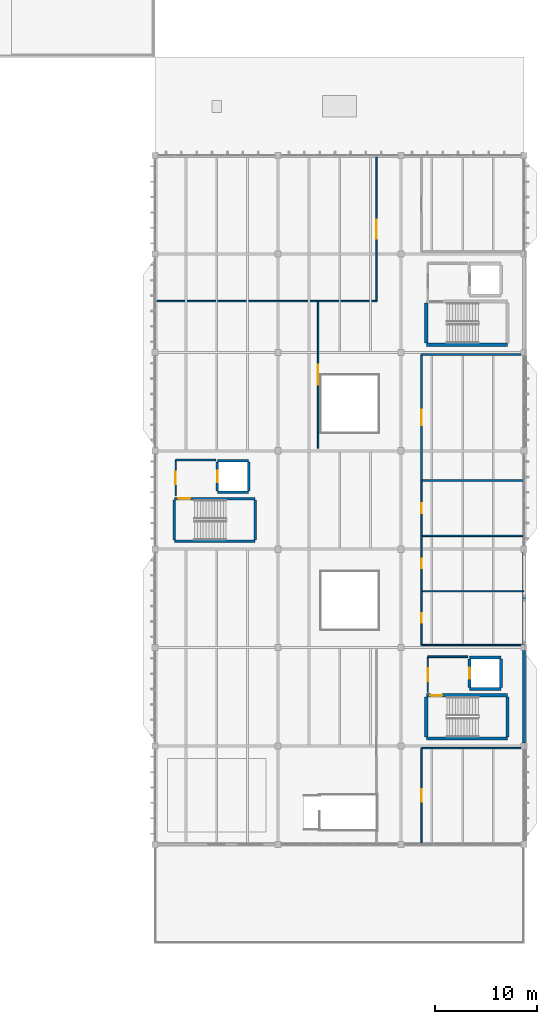
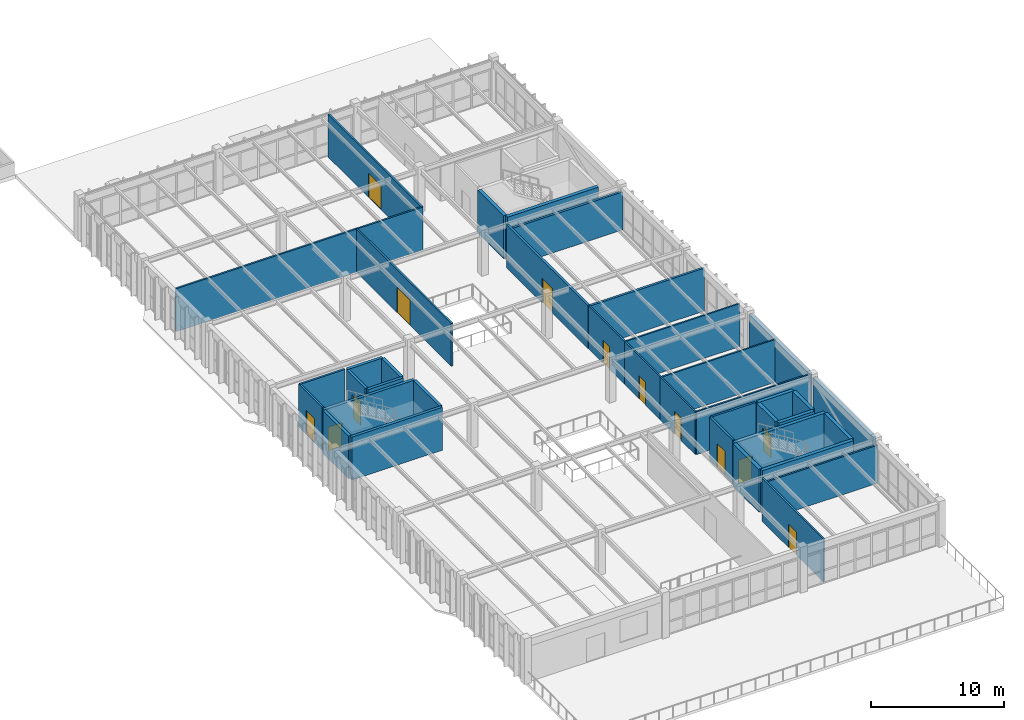
# One storey, part 74 of 83: 38 walls, 13 doors, 13 openings.
"""IFC4 building model written with IfcOpenShell, lengths in metres."""

from ifc_helpers import new_model, si_unit, direction, frame, frame_2d, origin, place, context, subcontext, project, spatial, rectangle, extrude, material, layer, layer_set, type_object, element, fill, save


model = new_model("IFC4")

# Units and contexts
model_context = context("Model", 3, precision=1e-05, world=origin(), true_north=direction((0.0, 1.0)))
body_context = subcontext(model_context, "Body", "Model", "MODEL_VIEW")
ifc_project = project(units=[si_unit("LENGTHUNIT", "METRE"), si_unit("AREAUNIT", "SQUARE_METRE"), si_unit("VOLUMEUNIT", "CUBIC_METRE"), si_unit("PLANEANGLEUNIT", "RADIAN"), si_unit("MASSUNIT", "GRAM", prefix="KILO")], contexts=[model_context])

# Site, building, storey
site_placement = place(None, origin())
site = spatial("IfcSite", under=ifc_project, at=site_placement, CompositionType="ELEMENT")
building_placement = place(site_placement, origin())
building = spatial("IfcBuilding", under=site, at=building_placement, Name="Pandanus Reach Market Hall", CompositionType="ELEMENT")
storey_placement = place(building_placement, frame((0.0, 0.0, 10.199951171875)))
storey = spatial("IfcBuildingStorey", under=building, at=storey_placement, Name="L02", CompositionType="ELEMENT", Elevation=10.199951171875)

# Wall
ifc_material_1 = material(Name="Concrete N40 (40 MPa)", Category="concrete")
ifc_layer_1 = layer(ifc_material_1, 0.25, Name="WL-CORE-250")
ifc_layer_set_1 = layer_set([ifc_layer_1], Name="Concrete N40 (40 MPa)")
wall_type_1 = type_object("IfcWallType", Name="WL-CORE-250", PredefinedType="SHEAR", material=ifc_layer_set_1)
wall_1_placement = place(storey_placement, frame((145.875, 48.77490234375, 0.0), z_axis=(0.0, 0.0, 1.0), x_axis=(1.0, 0.0, 0.0)))
element("IfcWall", 1, at=wall_1_placement, inside=storey, type_object=wall_type_1, Name="Internal wall WL-CORE-250 WL-0300", PredefinedType="SHEAR", context=body_context, shape_type="SweptSolid", body=[
    extrude(rectangle(XDim=7.8701171875, YDim=0.25, at=frame_2d((3.93505859375, 0.0))), origin(), (0.0, 0.0, 1.0), 3.93994140625),
])

# Wall, opening, door
wall_2_placement = place(storey_placement, frame((145.875, 52.925048828125, 0.0), z_axis=(0.0, 0.0, 1.0), x_axis=(1.0, 0.0, 0.0)))
wall_2 = element("IfcWall", 2, at=wall_2_placement, inside=storey, type_object=wall_type_1, Name="Internal wall WL-CORE-250 WL-0301", PredefinedType="SHEAR", context=body_context, shape_type="SweptSolid", body=[
    extrude(rectangle(XDim=7.8701171875, YDim=0.25, at=frame_2d((3.93505859375, 0.0))), origin(), (0.0, 0.0, 1.0), 3.93994140625),
])
opening_1_placement = place(wall_2_placement, frame((0.39990234375, 0.0, 0.0)))
opening_1 = element("IfcOpeningElement", 3, at=opening_1_placement, cuts=wall_2, Name="Opening DR-FD1", PredefinedType="OPENING", context=body_context, shape_type="SweptSolid", body=[
    extrude(rectangle(XDim=1.14990234375, YDim=2.14990234375, at=frame_2d((0.574951171875, 1.074951171875))), frame((0.0, 0.139892578125, 0.0), z_axis=(0.0, -1.0, 0.0), x_axis=(1.0, 0.0, 0.0)), (0.0, 0.0, 1.0), 0.280029296875),
])
ifc_material_2 = material(Name="Fire-rated steel door", Category="steel")
door_type_1 = type_object("IfcDoorType", Name="DR-FD1", OperationType="NOTDEFINED", PredefinedType="DOOR", material=ifc_material_2)
door_1_placement = place(opening_1_placement, frame((1.14990234375, 0.0, 0.0), z_axis=(0.0, 0.0, 1.0), x_axis=(-1.0, 0.0, 0.0)))
door_1 = element("IfcDoor", 4, at=door_1_placement, inside=storey, type_object=door_type_1, Name="Fire stair door ST-03 L02", OperationType="SINGLE_SWING_LEFT", OverallHeight=2.14990234375, OverallWidth=1.14990234375, PredefinedType="DOOR", context=body_context, shape_type="SweptSolid", body=[
    extrude(rectangle(XDim=1.14990234375, YDim=2.14990234375, at=frame_2d((0.574951171875, 1.074951171875))), frame((0.0, 0.02490234375, 0.0), z_axis=(0.0, -1.0, 0.0), x_axis=(1.0, 0.0, 0.0)), (0.0, 0.0, 1.0), 0.050048828125),
])
fill(opening_1, door_1)

# Walls
for number, where, z_axis, x_axis, name in (
    (5, (145.875, 48.89990234375, 0.0), (0.0, 0.0, 1.0), (0.0, 1.0, 0.0), "Internal wall WL-CORE-250 WL-0302"),
    (6, (153.7451171875, 48.89990234375, 0.0), (0.0, 0.0, 1.0), (0.0, 1.0, 0.0), "Internal wall WL-CORE-250 WL-0303"),
):
    element("IfcWall", number, at=place(storey_placement, frame(where, z_axis=z_axis, x_axis=x_axis)), inside=storey, type_object=wall_type_1, Name=name, PredefinedType="SHEAR", context=body_context, shape_type="SweptSolid", body=[
        extrude(rectangle(XDim=3.900146484375, YDim=0.25, at=frame_2d((1.9501953125, 0.0))), origin(), (0.0, 0.0, 1.0), 3.93994140625),
    ])
for number, where, z_axis, x_axis, name in (
    (7, (150.074951171875, 53.574951171875, 0.0), (0.0, 0.0, 1.0), (1.0, 0.0, 0.0), "Internal wall WL-CORE-250 WL-0304"),
    (8, (150.074951171875, 56.625, 0.0), (0.0, 0.0, 1.0), (1.0, 0.0, 0.0), "Internal wall WL-CORE-250 WL-0305"),
):
    element("IfcWall", number, at=place(storey_placement, frame(where, z_axis=z_axis, x_axis=x_axis)), inside=storey, type_object=wall_type_1, Name=name, PredefinedType="SHEAR", context=body_context, shape_type="SweptSolid", body=[
        extrude(rectangle(XDim=3.050048828125, YDim=0.25, at=frame_2d((1.52490234375, 0.0))), origin(), (0.0, 0.0, 1.0), 3.93994140625),
    ])
wall_3_placement = place(storey_placement, frame((153.125, 53.699951171875, 0.0), z_axis=(0.0, 0.0, 1.0), x_axis=(0.0, 1.0, 0.0)))
element("IfcWall", 9, at=wall_3_placement, inside=storey, type_object=wall_type_1, Name="Internal wall WL-CORE-250 WL-0306", PredefinedType="SHEAR", context=body_context, shape_type="SweptSolid", body=[
    extrude(rectangle(XDim=2.800048828125, YDim=0.25, at=frame_2d((1.39990234375, 0.0))), origin(), (0.0, 0.0, 1.0), 3.93994140625),
])

# Wall, opening, door
wall_4_placement = place(storey_placement, frame((150.074951171875, 53.699951171875, 0.0), z_axis=(0.0, 0.0, 1.0), x_axis=(0.0, 1.0, 0.0)))
wall_4 = element("IfcWall", 10, at=wall_4_placement, inside=storey, type_object=wall_type_1, Name="Internal wall WL-CORE-250 WL-0307", PredefinedType="SHEAR", context=body_context, shape_type="SweptSolid", body=[
    extrude(rectangle(XDim=2.800048828125, YDim=0.25, at=frame_2d((1.39990234375, 0.0))), origin(), (0.0, 0.0, 1.0), 3.93994140625),
])
opening_2_placement = place(wall_4_placement, frame((0.85009765625, 0.0, 0.0)))
opening_2 = element("IfcOpeningElement", 11, at=opening_2_placement, cuts=wall_4, Name="Opening LD-01", PredefinedType="OPENING", context=body_context, shape_type="SweptSolid", body=[
    extrude(rectangle(XDim=1.10009765625, YDim=2.14990234375, at=frame_2d((0.550048828125, 1.074951171875))), frame((0.0, 0.139892578125, 0.0), z_axis=(0.0, -1.0, 0.0), x_axis=(1.0, 0.0, 0.0)), (0.0, 0.0, 1.0), 0.280029296875),
])
ifc_material_3 = material(Name="Stainless steel lift landing door", Category="steel")
door_type_2 = type_object("IfcDoorType", Name="LD-01", OperationType="SLIDING_TO_LEFT", PredefinedType="DOOR", material=ifc_material_3)
door_2_placement = place(opening_2_placement, origin())
door_2 = element("IfcDoor", 12, at=door_2_placement, inside=storey, type_object=door_type_2, Name="Lift landing door LF-03 LD-01 48", OperationType="SLIDING_TO_LEFT", OverallHeight=2.14990234375, OverallWidth=1.10009765625, PredefinedType="DOOR", context=body_context, shape_type="SweptSolid", body=[
    extrude(rectangle(XDim=1.10009765625, YDim=2.14990234375, at=frame_2d((0.550048828125, 1.074951171875))), frame((0.0, 0.02490234375, 0.0), z_axis=(0.0, -1.0, 0.0), x_axis=(1.0, 0.0, 0.0)), (0.0, 0.0, 1.0), 0.050048828125),
])
fill(opening_2, door_2)

# Wall
ifc_layer_2 = layer(ifc_material_1, 0.300048828125, Name="WL-CORE-300")
ifc_layer_set_2 = layer_set([ifc_layer_2], Name="Concrete N40 (40 MPa)")
wall_type_2 = type_object("IfcWallType", Name="WL-CORE-300", PredefinedType="SHEAR", material=ifc_layer_set_2)
wall_5_placement = place(storey_placement, frame((170.449951171875, 29.550048828125, 0.0), z_axis=(0.0, 0.0, 1.0), x_axis=(1.0, 0.0, 0.0)))
element("IfcWall", 13, at=wall_5_placement, inside=storey, type_object=wall_type_2, Name="Internal wall WL-CORE-300 WL-0180", PredefinedType="SHEAR", context=body_context, shape_type="SweptSolid", body=[
    extrude(rectangle(XDim=7.920166015625, YDim=0.300048828125, at=frame_2d((3.9599609375, 0.0))), origin(), (0.0, 0.0, 1.0), 3.93994140625),
])

# Wall, opening, door
wall_6_placement = place(storey_placement, frame((170.449951171875, 33.75, 0.0), z_axis=(0.0, 0.0, 1.0), x_axis=(1.0, 0.0, 0.0)))
wall_6 = element("IfcWall", 14, at=wall_6_placement, inside=storey, type_object=wall_type_2, Name="Internal wall WL-CORE-300 WL-0181", PredefinedType="SHEAR", context=body_context, shape_type="SweptSolid", body=[
    extrude(rectangle(XDim=7.920166015625, YDim=0.300048828125, at=frame_2d((3.9599609375, 0.0))), origin(), (0.0, 0.0, 1.0), 3.93994140625),
])
opening_3_placement = place(wall_6_placement, frame((0.39990234375, 0.0, 0.0)))
opening_3 = element("IfcOpeningElement", 15, at=opening_3_placement, cuts=wall_6, Name="Opening DR-FD1", PredefinedType="OPENING", context=body_context, shape_type="SweptSolid", body=[
    extrude(rectangle(XDim=1.14990234375, YDim=2.14990234375, at=frame_2d((0.574951171875, 1.074951171875))), frame((0.0, 0.1650390625, 0.0), z_axis=(0.0, -1.0, 0.0), x_axis=(1.0, 0.0, 0.0)), (0.0, 0.0, 1.0), 0.330078125),
])
door_3_placement = place(opening_3_placement, frame((1.14990234375, 0.0, 0.0), z_axis=(0.0, 0.0, 1.0), x_axis=(-1.0, 0.0, 0.0)))
door_3 = element("IfcDoor", 16, at=door_3_placement, inside=storey, type_object=door_type_1, Name="Fire stair door ST-01 L02", OperationType="SINGLE_SWING_LEFT", OverallHeight=2.14990234375, OverallWidth=1.14990234375, PredefinedType="DOOR", context=body_context, shape_type="SweptSolid", body=[
    extrude(rectangle(XDim=1.14990234375, YDim=2.14990234375, at=frame_2d((0.574951171875, 1.074951171875))), frame((0.0, 0.02490234375, 0.0), z_axis=(0.0, -1.0, 0.0), x_axis=(1.0, 0.0, 0.0)), (0.0, 0.0, 1.0), 0.050048828125),
])
fill(opening_3, door_3)

# Walls
for number, where, z_axis, x_axis, name in (
    (17, (170.449951171875, 29.699951171875, 0.0), (0.0, 0.0, 1.0), (0.0, 1.0, 0.0), "Internal wall WL-CORE-300 WL-0182"),
    (18, (178.3701171875, 29.699951171875, 0.0), (0.0, 0.0, 1.0), (0.0, 1.0, 0.0), "Internal wall WL-CORE-300 WL-0183"),
):
    element("IfcWall", number, at=place(storey_placement, frame(where, z_axis=z_axis, x_axis=x_axis)), inside=storey, type_object=wall_type_2, Name=name, PredefinedType="SHEAR", context=body_context, shape_type="SweptSolid", body=[
        extrude(rectangle(XDim=3.900146484375, YDim=0.300048828125, at=frame_2d((1.9501953125, 0.0))), origin(), (0.0, 0.0, 1.0), 3.93994140625),
    ])
for number, where, z_axis, x_axis, name in (
    (19, (174.64990234375, 34.35009765625, 0.0), (0.0, 0.0, 1.0), (1.0, 0.0, 0.0), "Internal wall WL-CORE-300 WL-0184"),
    (20, (174.64990234375, 37.449951171875, 0.0), (0.0, 0.0, 1.0), (1.0, 0.0, 0.0), "Internal wall WL-CORE-300 WL-0185"),
):
    element("IfcWall", number, at=place(storey_placement, frame(where, z_axis=z_axis, x_axis=x_axis)), inside=storey, type_object=wall_type_2, Name=name, PredefinedType="SHEAR", context=body_context, shape_type="SweptSolid", body=[
        extrude(rectangle(XDim=3.10009765625, YDim=0.300048828125, at=frame_2d((1.550048828125, 0.0))), origin(), (0.0, 0.0, 1.0), 3.93994140625),
    ])
wall_7_placement = place(storey_placement, frame((177.75, 34.5, 0.0), z_axis=(0.0, 0.0, 1.0), x_axis=(0.0, 1.0, 0.0)))
element("IfcWall", 21, at=wall_7_placement, inside=storey, type_object=wall_type_2, Name="Internal wall WL-CORE-300 WL-0186", PredefinedType="SHEAR", context=body_context, shape_type="SweptSolid", body=[
    extrude(rectangle(XDim=2.800048828125, YDim=0.300048828125, at=frame_2d((1.39990234375, 0.0))), origin(), (0.0, 0.0, 1.0), 3.93994140625),
])

# Wall, opening, door
wall_8_placement = place(storey_placement, frame((174.64990234375, 34.5, 0.0), z_axis=(0.0, 0.0, 1.0), x_axis=(0.0, 1.0, 0.0)))
wall_8 = element("IfcWall", 22, at=wall_8_placement, inside=storey, type_object=wall_type_2, Name="Internal wall WL-CORE-300 WL-0187", PredefinedType="SHEAR", context=body_context, shape_type="SweptSolid", body=[
    extrude(rectangle(XDim=2.800048828125, YDim=0.300048828125, at=frame_2d((1.39990234375, 0.0))), origin(), (0.0, 0.0, 1.0), 3.93994140625),
])
opening_4_placement = place(wall_8_placement, frame((0.85009765625, 0.0, 0.0)))
opening_4 = element("IfcOpeningElement", 23, at=opening_4_placement, cuts=wall_8, Name="Opening LD-01", PredefinedType="OPENING", context=body_context, shape_type="SweptSolid", body=[
    extrude(rectangle(XDim=1.10009765625, YDim=2.14990234375, at=frame_2d((0.550048828125, 1.074951171875))), frame((0.0, 0.1650390625, 0.0), z_axis=(0.0, -1.0, 0.0), x_axis=(1.0, 0.0, 0.0)), (0.0, 0.0, 1.0), 0.330078125),
])
door_4_placement = place(opening_4_placement, origin())
door_4 = element("IfcDoor", 24, at=door_4_placement, inside=storey, type_object=door_type_2, Name="Lift landing door LF-01 LD-01 12", OperationType="SLIDING_TO_LEFT", OverallHeight=2.14990234375, OverallWidth=1.10009765625, PredefinedType="DOOR", context=body_context, shape_type="SweptSolid", body=[
    extrude(rectangle(XDim=1.10009765625, YDim=2.14990234375, at=frame_2d((0.550048828125, 1.074951171875))), frame((0.0, 0.02490234375, 0.0), z_axis=(0.0, -1.0, 0.0), x_axis=(1.0, 0.0, 0.0)), (0.0, 0.0, 1.0), 0.050048828125),
])
fill(opening_4, door_4)

# Walls
wall_9_placement = place(storey_placement, frame((170.449951171875, 67.949951171875, 0.0), z_axis=(0.0, 0.0, 1.0), x_axis=(1.0, 0.0, 0.0)))
element("IfcWall", 25, at=wall_9_placement, inside=storey, type_object=wall_type_2, Name="Internal wall WL-CORE-300 WL-0240", PredefinedType="SHEAR", context=body_context, shape_type="SweptSolid", body=[
    extrude(rectangle(XDim=7.920166015625, YDim=0.300048828125, at=frame_2d((3.9599609375, 0.0))), origin(), (0.0, 0.0, 1.0), 3.93994140625),
])
wall_10_placement = place(storey_placement, frame((170.449951171875, 68.10009765625, 0.0), z_axis=(0.0, 0.0, 1.0), x_axis=(0.0, 1.0, 0.0)))
element("IfcWall", 26, at=wall_10_placement, inside=storey, type_object=wall_type_2, Name="Internal wall WL-CORE-300 WL-0242", PredefinedType="SHEAR", context=body_context, shape_type="SweptSolid", body=[
    extrude(rectangle(XDim=3.89990234375, YDim=0.300048828125, at=frame_2d((1.949951171875, 0.0))), origin(), (0.0, 0.0, 1.0), 3.93994140625),
])
ifc_material_4 = material(Name="Precast concrete S50 (50 MPa)", Category="concrete")
ifc_layer_3 = layer(ifc_material_4, 0.280029296875, Name="WL-EXT-280")
ifc_layer_set_3 = layer_set([ifc_layer_3], Name="Precast concrete S50 (50 MPa)")
wall_type_3 = type_object("IfcWallType", Name="WL-EXT-280", PredefinedType="SOLIDWALL", material=ifc_layer_set_3)
for number, where, z_axis, x_axis, name in (
    (27, (180.0, 29.10009765625, 0.0), (0.0, 0.0, 1.0), (0.0, 1.0, 0.0), "External wall WL-EXT-280 WL-0101"),
    (28, (180.0, 38.699951171875, 0.0), (0.0, 0.0, 1.0), (0.0, 1.0, 0.0), "External wall WL-EXT-280 WL-0102"),
):
    element("IfcWall", number, at=place(storey_placement, frame(where, z_axis=z_axis, x_axis=x_axis)), inside=storey, type_object=wall_type_3, Name=name, PredefinedType="SOLIDWALL", context=body_context, shape_type="SweptSolid", body=[
        extrude(rectangle(XDim=9.0, YDim=0.280029296875, at=frame_2d((4.5, 0.0))), origin(), (0.0, 0.0, 1.0), 3.900146484375),
    ])
ifc_layer_4 = layer(ifc_material_1, 0.199951171875, Name="WL-FIRE-200")
ifc_layer_set_4 = layer_set([ifc_layer_4], Name="Concrete N40 (40 MPa)")
wall_type_4 = type_object("IfcWallType", Name="WL-FIRE-200", PredefinedType="SOLIDWALL", material=ifc_layer_set_4)
wall_11_placement = place(storey_placement, frame((170.0, 54.699951171875, 0.0), z_axis=(0.0, 0.0, 1.0), x_axis=(1.0, 0.0, 0.0)))
element("IfcWall", 29, at=wall_11_placement, inside=storey, type_object=wall_type_4, Name="Internal wall WL-FIRE-200 WL-0555", PredefinedType="SOLIDWALL", context=body_context, shape_type="SweptSolid", body=[
    extrude(rectangle(XDim=9.9599609375, YDim=0.199951171875, at=frame_2d((4.97998046875, 0.0))), origin(), (0.0, 0.0, 1.0), 3.93994140625),
])
wall_12_placement = place(storey_placement, frame((170.0, 67.0, 0.0), z_axis=(0.0, 0.0, 1.0), x_axis=(1.0, 0.0, 0.0)))
element("IfcWall", 30, at=wall_12_placement, inside=storey, type_object=wall_type_4, Name="Internal wall WL-FIRE-200 WL-0556", PredefinedType="SOLIDWALL", context=body_context, shape_type="SweptSolid", body=[
    extrude(rectangle(XDim=9.9599609375, YDim=0.199951171875, at=frame_2d((4.97998046875, 0.0))), origin(), (0.0, 0.0, 1.0), 3.487548828125),
])

# Wall, opening, door
wall_13_placement = place(storey_placement, frame((170.0, 54.699951171875, 0.0), z_axis=(0.0, 0.0, 1.0), x_axis=(0.0, 1.0, 0.0)))
wall_13 = element("IfcWall", 31, at=wall_13_placement, inside=storey, type_object=wall_type_4, Name="Internal wall WL-FIRE-200 WL-0560", PredefinedType="SOLIDWALL", context=body_context, shape_type="SweptSolid", body=[
    extrude(rectangle(XDim=12.300048828125, YDim=0.199951171875, at=frame_2d((6.14990234375, 0.0))), origin(), (0.0, 0.0, 1.0), 3.93994140625),
])
opening_5_placement = place(wall_13_placement, frame((5.375, 0.0, 0.0)))
opening_5 = element("IfcOpeningElement", 32, at=opening_5_placement, cuts=wall_13, Name="Opening DR-FD5", PredefinedType="OPENING", context=body_context, shape_type="SweptSolid", body=[
    extrude(rectangle(XDim=1.550048828125, YDim=2.25, at=frame_2d((0.77490234375, 1.125))), frame((0.0, 0.114990234375, 0.0), z_axis=(0.0, -1.0, 0.0), x_axis=(1.0, 0.0, 0.0)), (0.0, 0.0, 1.0), 0.22998046875),
])
ifc_material_5 = material(Name="Fire-rated cold-chain airlock leaf door")
door_type_3 = type_object("IfcDoorType", Name="DR-FD5", OperationType="NOTDEFINED", PredefinedType="DOOR", material=ifc_material_5)
door_5_placement = place(opening_5_placement, origin())
door_5 = element("IfcDoor", 33, at=door_5_placement, inside=storey, type_object=door_type_3, Name="L02 AHU plant fire door DR-FD5 161", OperationType="SINGLE_SWING_RIGHT", OverallHeight=2.25, OverallWidth=1.550048828125, PredefinedType="DOOR", context=body_context, shape_type="SweptSolid", body=[
    extrude(rectangle(XDim=1.550048828125, YDim=2.25, at=frame_2d((0.77490234375, 1.125))), frame((0.0, 0.02490234375, 0.0), z_axis=(0.0, -1.0, 0.0), x_axis=(1.0, 0.0, 0.0)), (0.0, 0.0, 1.0), 0.050048828125),
])
fill(opening_5, door_5)

ifc_layer_5 = layer(ifc_material_1, 0.175048828125, Name="WL-LOB-175")
ifc_layer_set_5 = layer_set([ifc_layer_5], Name="Concrete N40 (40 MPa)")
wall_type_5 = type_object("IfcWallType", Name="WL-LOB-175", PredefinedType="PARTITIONING", material=ifc_layer_set_5)
wall_14_placement = place(storey_placement, frame((170.60009765625, 34.0, 0.0), z_axis=(0.0, 0.0, 1.0), x_axis=(0.0, 1.0, 0.0)))
wall_14 = element("IfcWall", 34, at=wall_14_placement, inside=storey, type_object=wall_type_5, Name="Internal wall WL-LOB-175 WL-0188", PredefinedType="PARTITIONING", context=body_context, shape_type="SweptSolid", body=[
    extrude(rectangle(XDim=3.5, YDim=0.175048828125, at=frame_2d((1.75, 0.0))), origin(), (0.0, 0.0, 1.0), 3.93994140625),
])
opening_6_placement = place(wall_14_placement, frame((1.125, 0.0, 0.0)))
opening_6 = element("IfcOpeningElement", 35, at=opening_6_placement, cuts=wall_14, Name="Opening DR-FD2", PredefinedType="OPENING", context=body_context, shape_type="SweptSolid", body=[
    extrude(rectangle(XDim=1.25, YDim=2.199951171875, at=frame_2d((0.625, 1.10009765625))), frame((0.0, 0.1025390625, 0.0), z_axis=(0.0, -1.0, 0.0), x_axis=(1.0, 0.0, 0.0)), (0.0, 0.0, 1.0), 0.205078125),
])
door_type_4 = type_object("IfcDoorType", Name="DR-FD2", OperationType="NOTDEFINED", PredefinedType="DOOR", material=ifc_material_2)
door_6_placement = place(opening_6_placement, frame((1.25, 0.0, 0.0), z_axis=(0.0, 0.0, 1.0), x_axis=(-1.0, 0.0, 0.0)))
door_6 = element("IfcDoor", 36, at=door_6_placement, inside=storey, type_object=door_type_4, Name="Core C1 lobby fire door DR-FD2 13", OperationType="SINGLE_SWING_RIGHT", OverallHeight=2.199951171875, OverallWidth=1.25, PredefinedType="DOOR", context=body_context, shape_type="SweptSolid", body=[
    extrude(rectangle(XDim=1.25, YDim=2.199951171875, at=frame_2d((0.625, 1.10009765625))), frame((0.0, 0.02490234375, 0.0), z_axis=(0.0, -1.0, 0.0), x_axis=(1.0, 0.0, 0.0)), (0.0, 0.0, 1.0), 0.050048828125),
])
fill(opening_6, door_6)

# Wall
wall_15_placement = place(storey_placement, frame((170.60009765625, 37.5, 0.0), z_axis=(0.0, 0.0, 1.0), x_axis=(1.0, 0.0, 0.0)))
element("IfcWall", 37, at=wall_15_placement, inside=storey, type_object=wall_type_5, Name="Internal wall WL-LOB-175 WL-0189", PredefinedType="PARTITIONING", context=body_context, shape_type="SweptSolid", body=[
    extrude(rectangle(XDim=3.89990234375, YDim=0.175048828125, at=frame_2d((1.949951171875, 0.0))), origin(), (0.0, 0.0, 1.0), 3.93994140625),
])

# Wall, opening, door
wall_16_placement = place(storey_placement, frame((146.0, 53.199951171875, 0.0), z_axis=(0.0, 0.0, 1.0), x_axis=(0.0, 1.0, 0.0)))
wall_16 = element("IfcWall", 38, at=wall_16_placement, inside=storey, type_object=wall_type_5, Name="Internal wall WL-LOB-175 WL-0308", PredefinedType="PARTITIONING", context=body_context, shape_type="SweptSolid", body=[
    extrude(rectangle(XDim=3.5, YDim=0.175048828125, at=frame_2d((1.75, 0.0))), origin(), (0.0, 0.0, 1.0), 3.93994140625),
])
opening_7_placement = place(wall_16_placement, frame((1.125, 0.0, 0.0)))
opening_7 = element("IfcOpeningElement", 39, at=opening_7_placement, cuts=wall_16, Name="Opening DR-FD2", PredefinedType="OPENING", context=body_context, shape_type="SweptSolid", body=[
    extrude(rectangle(XDim=1.25, YDim=2.199951171875, at=frame_2d((0.625, 1.10009765625))), frame((0.0, 0.1025390625, 0.0), z_axis=(0.0, -1.0, 0.0), x_axis=(1.0, 0.0, 0.0)), (0.0, 0.0, 1.0), 0.205078125),
])
door_7_placement = place(opening_7_placement, frame((1.25, 0.0, 0.0), z_axis=(0.0, 0.0, 1.0), x_axis=(-1.0, 0.0, 0.0)))
door_7 = element("IfcDoor", 40, at=door_7_placement, inside=storey, type_object=door_type_4, Name="Core C3 lobby fire door DR-FD2 49", OperationType="SINGLE_SWING_RIGHT", OverallHeight=2.199951171875, OverallWidth=1.25, PredefinedType="DOOR", context=body_context, shape_type="SweptSolid", body=[
    extrude(rectangle(XDim=1.25, YDim=2.199951171875, at=frame_2d((0.625, 1.10009765625))), frame((0.0, 0.02490234375, 0.0), z_axis=(0.0, -1.0, 0.0), x_axis=(1.0, 0.0, 0.0)), (0.0, 0.0, 1.0), 0.050048828125),
])
fill(opening_7, door_7)

# Walls
wall_17_placement = place(storey_placement, frame((146.0, 56.699951171875, 0.0), z_axis=(0.0, 0.0, 1.0), x_axis=(1.0, 0.0, 0.0)))
element("IfcWall", 41, at=wall_17_placement, inside=storey, type_object=wall_type_5, Name="Internal wall WL-LOB-175 WL-0309", PredefinedType="PARTITIONING", context=body_context, shape_type="SweptSolid", body=[
    extrude(rectangle(XDim=3.89990234375, YDim=0.175048828125, at=frame_2d((1.949951171875, 0.0))), origin(), (0.0, 0.0, 1.0), 3.93994140625),
])
ifc_material_6 = material(Name="Moisture-resistant plasterboard partition", Category="gypsum")
ifc_layer_6 = layer(ifc_material_6, 0.135009765625, Name="WL-PRT-135")
ifc_layer_set_6 = layer_set([ifc_layer_6], Name="Moisture-resistant plasterboard partition")
wall_type_6 = type_object("IfcWallType", Name="WL-PRT-135", PredefinedType="PARTITIONING", material=ifc_layer_set_6)
for number, where, z_axis, x_axis, name in (
    (42, (170.0, 38.64990234375, 0.0), (0.0, 0.0, 1.0), (1.0, 0.0, 0.0), "Internal wall WL-PRT-135 WL-0552"),
    (43, (170.0, 43.89990234375, 0.0), (0.0, 0.0, 1.0), (1.0, 0.0, 0.0), "Internal wall WL-PRT-135 WL-0553"),
    (44, (170.0, 49.300048828125, 0.0), (0.0, 0.0, 1.0), (1.0, 0.0, 0.0), "Internal wall WL-PRT-135 WL-0554"),
):
    element("IfcWall", number, at=place(storey_placement, frame(where, z_axis=z_axis, x_axis=x_axis)), inside=storey, type_object=wall_type_6, Name=name, PredefinedType="PARTITIONING", context=body_context, shape_type="SweptSolid", body=[
        extrude(rectangle(XDim=9.9599609375, YDim=0.135009765625, at=frame_2d((4.97998046875, 0.0))), origin(), (0.0, 0.0, 1.0), 3.93994140625),
    ])

# Wall, opening, door
wall_18_placement = place(storey_placement, frame((170.0, 38.64990234375, 0.0), z_axis=(0.0, 0.0, 1.0), x_axis=(0.0, 1.0, 0.0)))
wall_18 = element("IfcWall", 45, at=wall_18_placement, inside=storey, type_object=wall_type_6, Name="Internal wall WL-PRT-135 WL-0557", PredefinedType="PARTITIONING", context=body_context, shape_type="SweptSolid", body=[
    extrude(rectangle(XDim=5.25, YDim=0.135009765625, at=frame_2d((2.625, 0.0))), origin(), (0.0, 0.0, 1.0), 3.93994140625),
])
opening_8_placement = place(wall_18_placement, frame((2.14990234375, 0.0, 0.0)))
opening_8 = element("IfcOpeningElement", 46, at=opening_8_placement, cuts=wall_18, Name="Opening DR-I09", PredefinedType="OPENING", context=body_context, shape_type="SweptSolid", body=[
    extrude(rectangle(XDim=0.949951171875, YDim=2.10009765625, at=frame_2d((0.47509765625, 1.050048828125))), frame((0.0, 0.08251953125, 0.0), z_axis=(0.0, -1.0, 0.0), x_axis=(1.0, 0.0, 0.0)), (0.0, 0.0, 1.0), 0.1650390625),
])
ifc_material_7 = material(Name="Solid-core hardwood timber door", Category="wood")
door_type_5 = type_object("IfcDoorType", Name="DR-I09", OperationType="NOTDEFINED", PredefinedType="DOOR", material=ifc_material_7)
door_8_placement = place(opening_8_placement, origin())
door_8 = element("IfcDoor", 47, at=door_8_placement, inside=storey, type_object=door_type_5, Name="L02 male WC door DR-I09 158", OperationType="SINGLE_SWING_LEFT", OverallHeight=2.10009765625, OverallWidth=0.949951171875, PredefinedType="DOOR", context=body_context, shape_type="SweptSolid", body=[
    extrude(rectangle(XDim=0.949951171875, YDim=2.10009765625, at=frame_2d((0.47509765625, 1.050048828125))), frame((0.0, 0.02490234375, 0.0), z_axis=(0.0, -1.0, 0.0), x_axis=(1.0, 0.0, 0.0)), (0.0, 0.0, 1.0), 0.050048828125),
])
fill(opening_8, door_8)

wall_19_placement = place(storey_placement, frame((170.0, 43.89990234375, 0.0), z_axis=(0.0, 0.0, 1.0), x_axis=(0.0, 1.0, 0.0)))
wall_19 = element("IfcWall", 48, at=wall_19_placement, inside=storey, type_object=wall_type_6, Name="Internal wall WL-PRT-135 WL-0558", PredefinedType="PARTITIONING", context=body_context, shape_type="SweptSolid", body=[
    extrude(rectangle(XDim=5.400146484375, YDim=0.135009765625, at=frame_2d((2.7001953125, 0.0))), origin(), (0.0, 0.0, 1.0), 3.93994140625),
])
opening_9_placement = place(wall_19_placement, frame((2.22509765625, 0.0, 0.0)))
opening_9 = element("IfcOpeningElement", 49, at=opening_9_placement, cuts=wall_19, Name="Opening DR-I09", PredefinedType="OPENING", context=body_context, shape_type="SweptSolid", body=[
    extrude(rectangle(XDim=0.949951171875, YDim=2.10009765625, at=frame_2d((0.47509765625, 1.050048828125))), frame((0.0, 0.08251953125, 0.0), z_axis=(0.0, -1.0, 0.0), x_axis=(1.0, 0.0, 0.0)), (0.0, 0.0, 1.0), 0.1650390625),
])
door_9_placement = place(opening_9_placement, origin())
door_9 = element("IfcDoor", 50, at=door_9_placement, inside=storey, type_object=door_type_5, Name="L02 female WC door DR-I09 159", OperationType="SINGLE_SWING_RIGHT", OverallHeight=2.10009765625, OverallWidth=0.949951171875, PredefinedType="DOOR", context=body_context, shape_type="SweptSolid", body=[
    extrude(rectangle(XDim=0.949951171875, YDim=2.10009765625, at=frame_2d((0.47509765625, 1.050048828125))), frame((0.0, 0.02490234375, 0.0), z_axis=(0.0, -1.0, 0.0), x_axis=(1.0, 0.0, 0.0)), (0.0, 0.0, 1.0), 0.050048828125),
])
fill(opening_9, door_9)

wall_20_placement = place(storey_placement, frame((170.0, 49.300048828125, 0.0), z_axis=(0.0, 0.0, 1.0), x_axis=(0.0, 1.0, 0.0)))
wall_20 = element("IfcWall", 51, at=wall_20_placement, inside=storey, type_object=wall_type_6, Name="Internal wall WL-PRT-135 WL-0559", PredefinedType="PARTITIONING", context=body_context, shape_type="SweptSolid", body=[
    extrude(rectangle(XDim=5.39990234375, YDim=0.135009765625, at=frame_2d((2.699951171875, 0.0))), origin(), (0.0, 0.0, 1.0), 3.93994140625),
])
opening_10_placement = place(wall_20_placement, frame((2.199951171875, 0.0, 0.0)))
opening_10 = element("IfcOpeningElement", 52, at=opening_10_placement, cuts=wall_20, Name="Opening DR-I10", PredefinedType="OPENING", context=body_context, shape_type="SweptSolid", body=[
    extrude(rectangle(XDim=1.0, YDim=2.10009765625, at=frame_2d((0.5, 1.050048828125))), frame((0.0, 0.08251953125, 0.0), z_axis=(0.0, -1.0, 0.0), x_axis=(1.0, 0.0, 0.0)), (0.0, 0.0, 1.0), 0.1650390625),
])
ifc_material_8 = material(Name="Accessible unisex WC timber door", Category="wood")
door_type_6 = type_object("IfcDoorType", Name="DR-I10", OperationType="NOTDEFINED", PredefinedType="DOOR", material=ifc_material_8)
door_10_placement = place(opening_10_placement, origin())
door_10 = element("IfcDoor", 53, at=door_10_placement, inside=storey, type_object=door_type_6, Name="L02 accessible WC door DR-I10 160", OperationType="SINGLE_SWING_LEFT", OverallHeight=2.10009765625, OverallWidth=1.0, PredefinedType="DOOR", context=body_context, shape_type="SweptSolid", body=[
    extrude(rectangle(XDim=1.0, YDim=2.10009765625, at=frame_2d((0.5, 1.050048828125))), frame((0.0, 0.02490234375, 0.0), z_axis=(0.0, -1.0, 0.0), x_axis=(1.0, 0.0, 0.0)), (0.0, 0.0, 1.0), 0.050048828125),
])
fill(opening_10, door_10)

ifc_material_9 = material(Name="Acoustic plasterboard on steel framing", Category="steel")
ifc_layer_7 = layer(ifc_material_9, 0.14990234375, Name="WL-PRT-150")
ifc_layer_set_7 = layer_set([ifc_layer_7], Name="Acoustic plasterboard on steel framing")
wall_type_7 = type_object("IfcWallType", Name="WL-PRT-150", PredefinedType="PARTITIONING", material=ifc_layer_set_7)
wall_21_placement = place(storey_placement, frame((159.89990234375, 57.85009765625, 0.0), z_axis=(0.0, 0.0, 1.0), x_axis=(0.0, 1.0, 0.0)))
wall_21 = element("IfcWall", 54, at=wall_21_placement, inside=storey, type_object=wall_type_7, Name="Internal wall WL-PRT-150 WL-0545", PredefinedType="PARTITIONING", context=body_context, shape_type="SweptSolid", body=[
    extrude(rectangle(XDim=14.349853515625, YDim=0.14990234375, at=frame_2d((7.1748046875, 0.0))), origin(), (0.0, 0.0, 1.0), 3.93994140625),
])
opening_11_placement = place(wall_21_placement, frame((6.199951171875, 0.0, 0.0)))
opening_11 = element("IfcOpeningElement", 55, at=opening_11_placement, cuts=wall_21, Name="Opening DR-I19", PredefinedType="OPENING", context=body_context, shape_type="SweptSolid", body=[
    extrude(rectangle(XDim=1.949951171875, YDim=2.320068359375, at=frame_2d((0.97509765625, 1.16015625))), frame((0.0, 0.08984375, 0.0), z_axis=(0.0, -1.0, 0.0), x_axis=(1.0, 0.0, 0.0)), (0.0, 0.0, 1.0), 0.179931640625),
])
ifc_material_10 = material(Name="Wine lounge and cheese cellar double door")
door_type_7 = type_object("IfcDoorType", Name="DR-I19", OperationType="DOUBLE_DOOR_SINGLE_SWING", PredefinedType="DOOR", material=ifc_material_10)
door_11_placement = place(opening_11_placement, origin())
door_11 = element("IfcDoor", 56, at=door_11_placement, inside=storey, type_object=door_type_7, Name="Cheese maturation gallery door DR-I19 154", OperationType="DOUBLE_DOOR_SINGLE_SWING", OverallHeight=2.320068359375, OverallWidth=1.949951171875, PredefinedType="DOOR", context=body_context, shape_type="SweptSolid", body=[
    extrude(rectangle(XDim=1.949951171875, YDim=2.320068359375, at=frame_2d((0.97509765625, 1.16015625))), frame((0.0, 0.02490234375, 0.0), z_axis=(0.0, -1.0, 0.0), x_axis=(1.0, 0.0, 0.0)), (0.0, 0.0, 1.0), 0.050048828125),
])
fill(opening_11, door_11)

# Wall
wall_22_placement = place(storey_placement, frame((144.14990234375, 72.199951171875, 0.0), z_axis=(0.0, 0.0, 1.0), x_axis=(1.0, 0.0, 0.0)))
element("IfcWall", 57, at=wall_22_placement, inside=storey, type_object=wall_type_7, Name="Internal wall WL-PRT-150 WL-0546", PredefinedType="PARTITIONING", context=body_context, shape_type="SweptSolid", body=[
    extrude(rectangle(XDim=21.4501953125, YDim=0.14990234375, at=frame_2d((10.72509765625, 0.0))), origin(), (0.0, 0.0, 1.0), 3.93994140625),
])

# Wall, opening, door
wall_23_placement = place(storey_placement, frame((165.60009765625, 72.199951171875, 0.0), z_axis=(0.0, 0.0, 1.0), x_axis=(0.0, 1.0, 0.0)))
wall_23 = element("IfcWall", 58, at=wall_23_placement, inside=storey, type_object=wall_type_7, Name="Internal wall WL-PRT-150 WL-0547", PredefinedType="PARTITIONING", context=body_context, shape_type="SweptSolid", body=[
    extrude(rectangle(XDim=14.050048828125, YDim=0.14990234375, at=frame_2d((7.02490234375, 0.0))), origin(), (0.0, 0.0, 1.0), 3.93994140625),
])
opening_12_placement = place(wall_23_placement, frame((6.10009765625, 0.0, 0.0)))
opening_12 = element("IfcOpeningElement", 59, at=opening_12_placement, cuts=wall_23, Name="Opening DR-I18", PredefinedType="OPENING", context=body_context, shape_type="SweptSolid", body=[
    extrude(rectangle(XDim=1.85009765625, YDim=2.199951171875, at=frame_2d((0.925048828125, 1.10009765625))), frame((0.0, 0.08984375, 0.0), z_axis=(0.0, -1.0, 0.0), x_axis=(1.0, 0.0, 0.0)), (0.0, 0.0, 1.0), 0.179931640625),
])
ifc_material_11 = material(Name="Double market gallery swing door")
door_type_8 = type_object("IfcDoorType", Name="DR-I18", OperationType="DOUBLE_DOOR_SINGLE_SWING", PredefinedType="DOOR", material=ifc_material_11)
door_12_placement = place(opening_12_placement, origin())
door_12 = element("IfcDoor", 60, at=door_12_placement, inside=storey, type_object=door_type_8, Name="Community co-op kitchen door DR-I18 155", OperationType="DOUBLE_DOOR_SINGLE_SWING", OverallHeight=2.199951171875, OverallWidth=1.85009765625, PredefinedType="DOOR", context=body_context, shape_type="SweptSolid", body=[
    extrude(rectangle(XDim=1.85009765625, YDim=2.199951171875, at=frame_2d((0.925048828125, 1.10009765625))), frame((0.0, 0.02490234375, 0.0), z_axis=(0.0, -1.0, 0.0), x_axis=(1.0, 0.0, 0.0)), (0.0, 0.0, 1.0), 0.050048828125),
])
fill(opening_12, door_12)

wall_24_placement = place(storey_placement, frame((170.0, 19.35009765625, 0.0), z_axis=(0.0, 0.0, 1.0), x_axis=(0.0, 1.0, 0.0)))
wall_24 = element("IfcWall", 61, at=wall_24_placement, inside=storey, type_object=wall_type_7, Name="Internal wall WL-PRT-150 WL-0548", PredefinedType="PARTITIONING", context=body_context, shape_type="SweptSolid", body=[
    extrude(rectangle(XDim=9.25, YDim=0.14990234375, at=frame_2d((4.625, 0.0))), origin(), (0.0, 0.0, 1.0), 3.93994140625),
])
opening_13_placement = place(wall_24_placement, frame((4.02490234375, 0.0, 0.0)))
opening_13 = element("IfcOpeningElement", 62, at=opening_13_placement, cuts=wall_24, Name="Opening DR-I12", PredefinedType="OPENING", context=body_context, shape_type="SweptSolid", body=[
    extrude(rectangle(XDim=1.199951171875, YDim=2.1201171875, at=frame_2d((0.60009765625, 1.06005859375))), frame((0.0, 0.08984375, 0.0), z_axis=(0.0, -1.0, 0.0), x_axis=(1.0, 0.0, 0.0)), (0.0, 0.0, 1.0), 0.179931640625),
])
ifc_material_12 = material(Name="Food-quality laboratory hygienic door")
door_type_9 = type_object("IfcDoorType", Name="DR-I12", OperationType="NOTDEFINED", PredefinedType="DOOR", material=ifc_material_12)
door_13_placement = place(opening_13_placement, origin())
door_13 = element("IfcDoor", 63, at=door_13_placement, inside=storey, type_object=door_type_9, Name="Food-quality laboratory door DR-I12 156", OperationType="SINGLE_SWING_LEFT", OverallHeight=2.1201171875, OverallWidth=1.199951171875, PredefinedType="DOOR", context=body_context, shape_type="SweptSolid", body=[
    extrude(rectangle(XDim=1.199951171875, YDim=2.1201171875, at=frame_2d((0.60009765625, 1.06005859375))), frame((0.0, 0.02490234375, 0.0), z_axis=(0.0, -1.0, 0.0), x_axis=(1.0, 0.0, 0.0)), (0.0, 0.0, 1.0), 0.050048828125),
])
fill(opening_13, door_13)

# Wall
wall_25_placement = place(storey_placement, frame((170.0, 28.60009765625, 0.0), z_axis=(0.0, 0.0, 1.0), x_axis=(1.0, 0.0, 0.0)))
element("IfcWall", 64, at=wall_25_placement, inside=storey, type_object=wall_type_7, Name="Internal wall WL-PRT-150 WL-0549", PredefinedType="PARTITIONING", context=body_context, shape_type="SweptSolid", body=[
    extrude(rectangle(XDim=9.9599609375, YDim=0.14990234375, at=frame_2d((4.97998046875, 0.0))), origin(), (0.0, 0.0, 1.0), 3.487548828125),
])

save(model, "model.ifc")
